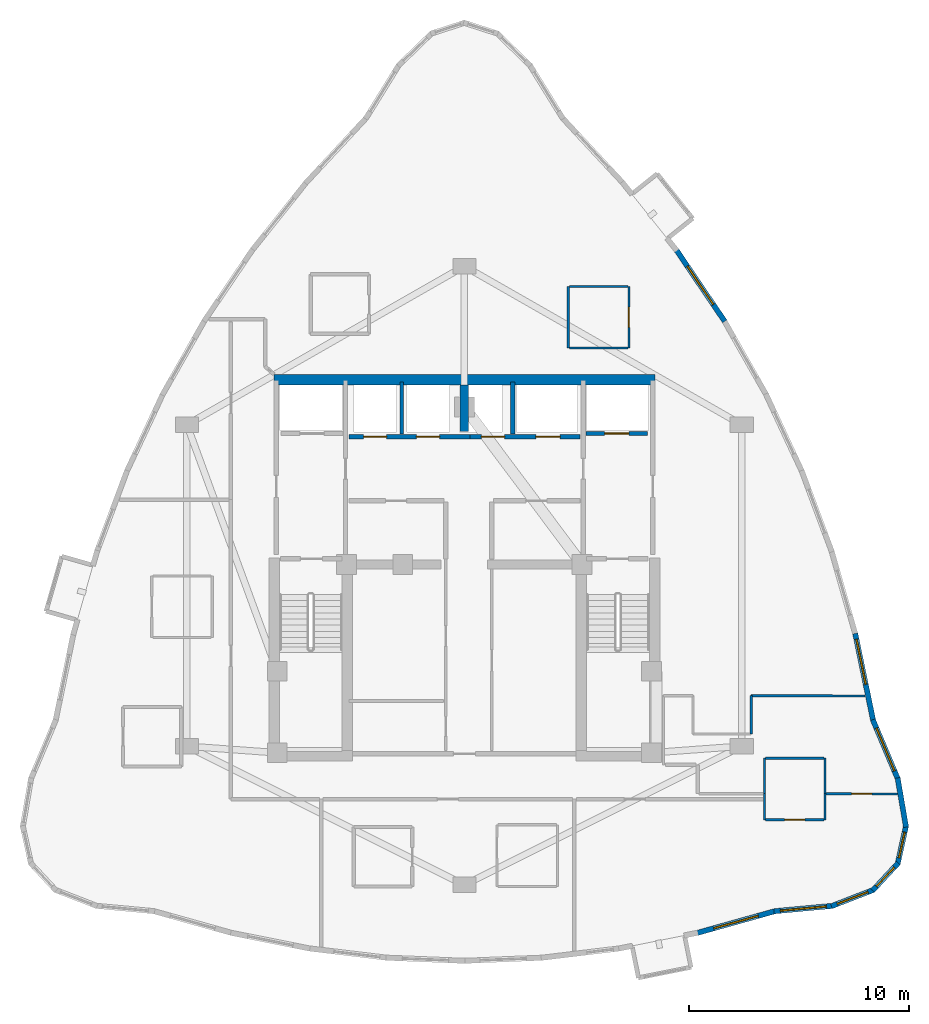
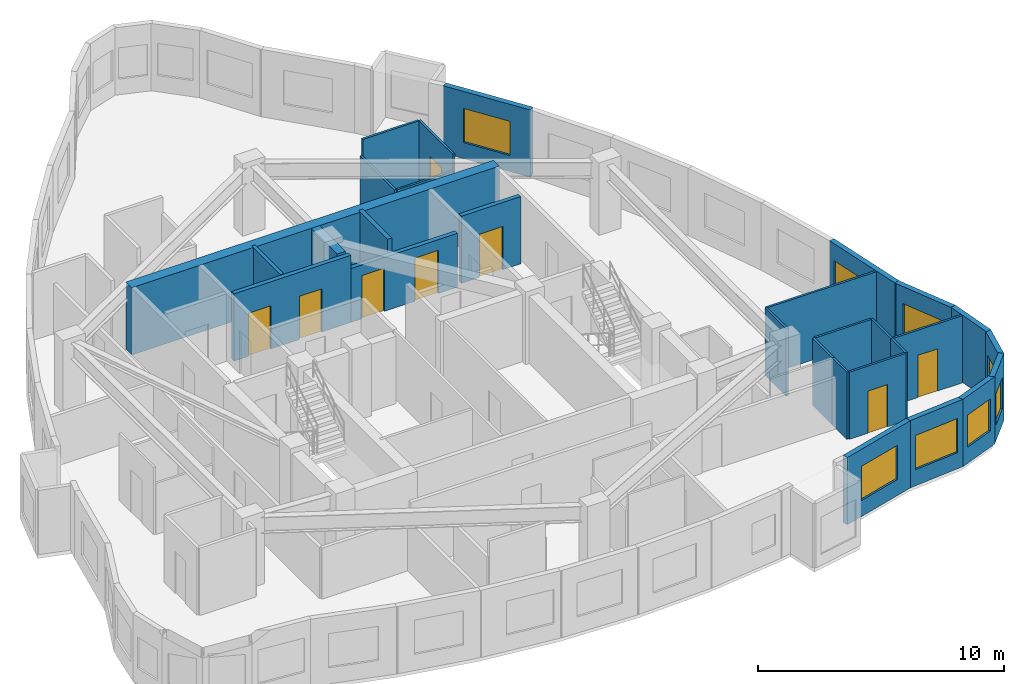
# One storey, part 6 of 8: 29 walls, 8 doors, 8 windows, 16 openings.
"""IFC4 building model written with IfcOpenShell, lengths in metres."""

from ifc_helpers import new_model, si_unit, direction, frame, frame_2d, origin, place, context, subcontext, project, spatial, rectangle, extrude, material, layer, layer_set, type_object, element, fill, save


model = new_model("IFC4")

# Units and contexts
model_context = context("Model", 3, precision=1e-05, world=origin(), true_north=direction((0.0, 1.0)))
body_context = subcontext(model_context, "Body", "Model", "MODEL_VIEW")
ifc_project = project(units=[si_unit("LENGTHUNIT", "METRE"), si_unit("AREAUNIT", "SQUARE_METRE"), si_unit("VOLUMEUNIT", "CUBIC_METRE"), si_unit("PLANEANGLEUNIT", "RADIAN"), si_unit("MASSUNIT", "GRAM", prefix="KILO")], contexts=[model_context])

# Site, building, storey
site_placement = place(None, origin())
site = spatial("IfcSite", under=ifc_project, at=site_placement, CompositionType="ELEMENT")
building_placement = place(site_placement, origin())
building = spatial("IfcBuilding", under=site, at=building_placement, Name="Miruveldt Soraemaru", CompositionType="ELEMENT")
storey_placement = place(building_placement, frame((0.0, 0.0, 212.39990234375)))
storey = spatial("IfcBuildingStorey", under=building, at=storey_placement, Name="L58", CompositionType="ELEMENT", Elevation=212.39990234375)

# Walls
ifc_material_1 = material(Name="Concrete C70/85 (70 MPa)", Category="concrete")
ifc_layer_1 = layer(ifc_material_1, 0.5, Name="Concrete C70/85 (70 MPa)", Category="concrete")
ifc_layer_set_1 = layer_set([ifc_layer_1], Name="Concrete C70/85 (70 MPa)")
wall_type_1 = type_object("IfcWallType", Name="WALL-BW-500", PredefinedType="SHEAR", material=ifc_layer_set_1)
wall_1_placement = place(storey_placement, frame((44.0, 50.10009765625, 0.0), z_axis=(0.0, 0.0, 1.0), x_axis=(0.0, 1.0, 0.0)))
element("IfcWall", 1, at=wall_1_placement, inside=storey, type_object=wall_type_1, Name="L58 Core Buttress Shear Wall BN", PredefinedType="SHEAR", context=body_context, shape_type="SweptSolid", body=[
    extrude(rectangle(XDim=2.099853515625, YDim=0.39990234375, at=frame_2d((1.0498046875, 0.0))), origin(), (0.0, 0.0, 1.0), 3.34521484375),
])
ifc_material_2 = material(Name="Concrete C60/75 (60 MPa)", Category="concrete")
ifc_layer_2 = layer(ifc_material_2, 0.47998046875, Name="Concrete C60/75 (60 MPa)", Category="concrete")
ifc_layer_set_2 = layer_set([ifc_layer_2], Name="Concrete C60/75 (60 MPa)")
wall_type_2 = type_object("IfcWallType", Name="WALL-CW-480", PredefinedType="SHEAR", material=ifc_layer_set_2)
wall_2_placement = place(storey_placement, frame((35.35009765625, 52.449951171875, 0.0), z_axis=(0.0, 0.0, 1.0), x_axis=(1.0, 0.0, 0.0)))
element("IfcWall", 2, at=wall_2_placement, inside=storey, type_object=wall_type_2, Name="L58 Central Core Shear Wall N", PredefinedType="SHEAR", context=body_context, shape_type="SweptSolid", body=[
    extrude(rectangle(XDim=17.2998046875, YDim=0.47998046875, at=frame_2d((8.64990234375, 0.0))), origin(), (0.0, 0.0, 1.0), 3.34521484375),
])

# Wall, opening, window
ifc_material_3 = material(Name="Precast concrete C45/55 (45 MPa)", Category="concrete")
ifc_layer_3 = layer(ifc_material_3, 0.239990234375, Name="Precast concrete C45/55 (45 MPa)", Category="concrete")
ifc_layer_set_3 = layer_set([ifc_layer_3], Name="Precast concrete C45/55 (45 MPa)")
wall_type_3 = type_object("IfcWallType", Name="WALL-EXT-PC240", PredefinedType="SOLIDWALL", material=ifc_layer_set_3)
wall_3_placement = place(storey_placement, frame((54.5400390625, 27.3076171875, 0.0), z_axis=(0.0, 0.0, 1.0), x_axis=(0.962953142371, 0.269668770158, 0.0)))
wall_3 = element("IfcWall", 3, at=wall_3_placement, inside=storey, type_object=wall_type_3, Name="L58 Precast Concrete Facade Wall 28", PredefinedType="SOLIDWALL", context=body_context, shape_type="SweptSolid", body=[
    extrude(rectangle(XDim=3.72998046875, YDim=0.239990234375, at=frame_2d((1.864990234375, 0.0))), origin(), (0.0, 0.0, 1.0), 3.34521484375),
])
opening_1_placement = place(wall_3_placement, frame((0.81494140625, 0.0, 0.800048828125)))
opening_1 = element("IfcOpeningElement", 4, at=opening_1_placement, cuts=wall_3, Name="Opening WN-1", PredefinedType="OPENING", context=body_context, shape_type="SweptSolid", body=[
    extrude(rectangle(XDim=2.10009765625, YDim=1.699951171875, at=frame_2d((1.050048828125, 0.85009765625))), frame((0.0, 0.1298828125, 0.0), z_axis=(0.0, -1.0, 0.0), x_axis=(1.0, 0.0, 0.0)), (0.0, 0.0, 1.0), 0.260009765625),
])
ifc_material_4 = material(Name="Triple low-e insulated glazing", Category="glass")
window_type_1 = type_object("IfcWindowType", Name="WIN-PUNCH-2100x1700", PartitioningType="SINGLE_PANEL", PredefinedType="WINDOW", material=ifc_material_4)
window_1_placement = place(opening_1_placement, origin())
window_1 = element("IfcWindow", 5, at=window_1_placement, inside=storey, type_object=window_type_1, Name="L58 Punched Triple-Glazed Window 28.1", OverallHeight=1.699951171875, OverallWidth=2.10009765625, PartitioningType="SINGLE_PANEL", PredefinedType="WINDOW", context=body_context, shape_type="SweptSolid", body=[
    extrude(rectangle(XDim=2.10009765625, YDim=1.699951171875, at=frame_2d((1.050048828125, 0.85009765625))), frame((0.0, 0.030029296875, 0.0), z_axis=(0.0, -1.0, 0.0), x_axis=(1.0, 0.0, 0.0)), (0.0, 0.0, 1.0), 0.06005859375),
])
fill(opening_1, window_1)

wall_4_placement = place(storey_placement, frame((58.063232421875, 28.30078125, 0.0), z_axis=(0.0, 0.0, 1.0), x_axis=(0.995758874352, 0.092001435582, 0.0)))
wall_4 = element("IfcWall", 6, at=wall_4_placement, inside=storey, type_object=wall_type_3, Name="L58 Precast Concrete Facade Wall 29", PredefinedType="SOLIDWALL", context=body_context, shape_type="SweptSolid", body=[
    extrude(rectangle(XDim=2.688232421875, YDim=0.239990234375, at=frame_2d((1.34423828125, 0.0))), origin(), (0.0, 0.0, 1.0), 3.34521484375),
])
opening_2_placement = place(wall_4_placement, frame((0.2939453125, 0.0, 0.800048828125)))
opening_2 = element("IfcOpeningElement", 7, at=opening_2_placement, cuts=wall_4, Name="Opening WN-1", PredefinedType="OPENING", context=body_context, shape_type="SweptSolid", body=[
    extrude(rectangle(XDim=2.10009765625, YDim=1.699951171875, at=frame_2d((1.050048828125, 0.85009765625))), frame((0.0, 0.1298828125, 0.0), z_axis=(0.0, -1.0, 0.0), x_axis=(1.0, 0.0, 0.0)), (0.0, 0.0, 1.0), 0.260009765625),
])
window_2_placement = place(opening_2_placement, origin())
window_2 = element("IfcWindow", 8, at=window_2_placement, inside=storey, type_object=window_type_1, Name="L58 Punched Triple-Glazed Window 29.1", OverallHeight=1.699951171875, OverallWidth=2.10009765625, PartitioningType="SINGLE_PANEL", PredefinedType="WINDOW", context=body_context, shape_type="SweptSolid", body=[
    extrude(rectangle(XDim=2.10009765625, YDim=1.699951171875, at=frame_2d((1.050048828125, 0.85009765625))), frame((0.0, 0.030029296875, 0.0), z_axis=(0.0, -1.0, 0.0), x_axis=(1.0, 0.0, 0.0)), (0.0, 0.0, 1.0), 0.06005859375),
])
fill(opening_2, window_2)

wall_5_placement = place(storey_placement, frame((60.672607421875, 28.531982421875, 0.0), z_axis=(0.0, 0.0, 1.0), x_axis=(0.932239398697, 0.361842097493, 0.0)))
wall_5 = element("IfcWall", 9, at=wall_5_placement, inside=storey, type_object=wall_type_3, Name="L58 Precast Concrete Facade Wall 30", PredefinedType="SOLIDWALL", context=body_context, shape_type="SweptSolid", body=[
    extrude(rectangle(XDim=2.0673828125, YDim=0.239990234375, at=frame_2d((1.03369140625, 0.0))), origin(), (0.0, 0.0, 1.0), 3.34521484375),
])
opening_3_placement = place(wall_5_placement, frame((0.283935546875, 0.0, 0.800048828125)))
opening_3 = element("IfcOpeningElement", 10, at=opening_3_placement, cuts=wall_5, Name="Opening WN-3", PredefinedType="OPENING", context=body_context, shape_type="SweptSolid", body=[
    extrude(rectangle(XDim=1.5, YDim=1.60009765625, at=frame_2d((0.75, 0.800048828125))), frame((0.0, 0.1298828125, 0.0), z_axis=(0.0, -1.0, 0.0), x_axis=(1.0, 0.0, 0.0)), (0.0, 0.0, 1.0), 0.260009765625),
])
window_type_2 = type_object("IfcWindowType", Name="WIN-PUNCH-1500x1600", PartitioningType="SINGLE_PANEL", PredefinedType="WINDOW", material=ifc_material_4)
window_3_placement = place(opening_3_placement, origin())
window_3 = element("IfcWindow", 11, at=window_3_placement, inside=storey, type_object=window_type_2, Name="L58 Punched Triple-Glazed Window 30.1", OverallHeight=1.60009765625, OverallWidth=1.5, PartitioningType="SINGLE_PANEL", PredefinedType="WINDOW", context=body_context, shape_type="SweptSolid", body=[
    extrude(rectangle(XDim=1.5, YDim=1.60009765625, at=frame_2d((0.75, 0.800048828125))), frame((0.0, 0.030029296875, 0.0), z_axis=(0.0, -1.0, 0.0), x_axis=(1.0, 0.0, 0.0)), (0.0, 0.0, 1.0), 0.06005859375),
])
fill(opening_3, window_3)

wall_6_placement = place(storey_placement, frame((62.54345703125, 29.24169921875, 0.0), z_axis=(0.0, 0.0, 1.0), x_axis=(0.680166703881, 0.733057470416, 0.0)))
wall_6 = element("IfcWall", 12, at=wall_6_placement, inside=storey, type_object=wall_type_3, Name="L58 Precast Concrete Facade Wall 31", PredefinedType="SOLIDWALL", context=body_context, shape_type="SweptSolid", body=[
    extrude(rectangle(XDim=1.71240234375, YDim=0.239990234375, at=frame_2d((0.856201171875, 0.0))), origin(), (0.0, 0.0, 1.0), 3.34521484375),
])
opening_4_placement = place(wall_6_placement, frame((0.256103515625, 0.0, 0.780029296875)))
opening_4 = element("IfcOpeningElement", 13, at=opening_4_placement, cuts=wall_6, Name="Opening WN-4", PredefinedType="OPENING", context=body_context, shape_type="SweptSolid", body=[
    extrude(rectangle(XDim=1.199951171875, YDim=1.550048828125, at=frame_2d((0.60009765625, 0.77490234375))), frame((0.0, 0.1298828125, 0.0), z_axis=(0.0, -1.0, 0.0), x_axis=(1.0, 0.0, 0.0)), (0.0, 0.0, 1.0), 0.260009765625),
])
window_type_3 = type_object("IfcWindowType", Name="WIN-PUNCH-1200x1550", PartitioningType="SINGLE_PANEL", PredefinedType="WINDOW", material=ifc_material_4)
window_4_placement = place(opening_4_placement, origin())
window_4 = element("IfcWindow", 14, at=window_4_placement, inside=storey, type_object=window_type_3, Name="L58 Punched Triple-Glazed Window 31.1", OverallHeight=1.550048828125, OverallWidth=1.199951171875, PartitioningType="SINGLE_PANEL", PredefinedType="WINDOW", context=body_context, shape_type="SweptSolid", body=[
    extrude(rectangle(XDim=1.199951171875, YDim=1.550048828125, at=frame_2d((0.60009765625, 0.77490234375))), frame((0.0, 0.030029296875, 0.0), z_axis=(0.0, -1.0, 0.0), x_axis=(1.0, 0.0, 0.0)), (0.0, 0.0, 1.0), 0.06005859375),
])
fill(opening_4, window_4)

wall_7_placement = place(storey_placement, frame((63.677001953125, 30.437255859375, 0.0), z_axis=(0.0, 0.0, 1.0), x_axis=(0.21567837117, 0.976464459266, 0.0)))
wall_7 = element("IfcWall", 15, at=wall_7_placement, inside=storey, type_object=wall_type_3, Name="L58 Precast Concrete Facade Wall 32", PredefinedType="SOLIDWALL", context=body_context, shape_type="SweptSolid", body=[
    extrude(rectangle(XDim=1.79638671875, YDim=0.239990234375, at=frame_2d((0.898193359375, 0.0))), origin(), (0.0, 0.0, 1.0), 3.34521484375),
])
opening_5_placement = place(wall_7_placement, frame((0.298095703125, 0.0, 0.780029296875)))
opening_5 = element("IfcOpeningElement", 16, at=opening_5_placement, cuts=wall_7, Name="Opening WN-4", PredefinedType="OPENING", context=body_context, shape_type="SweptSolid", body=[
    extrude(rectangle(XDim=1.199951171875, YDim=1.550048828125, at=frame_2d((0.60009765625, 0.77490234375))), frame((0.0, 0.1298828125, 0.0), z_axis=(0.0, -1.0, 0.0), x_axis=(1.0, 0.0, 0.0)), (0.0, 0.0, 1.0), 0.260009765625),
])
window_5_placement = place(opening_5_placement, origin())
window_5 = element("IfcWindow", 17, at=window_5_placement, inside=storey, type_object=window_type_3, Name="L58 Punched Triple-Glazed Window 32.1", OverallHeight=1.550048828125, OverallWidth=1.199951171875, PartitioningType="SINGLE_PANEL", PredefinedType="WINDOW", context=body_context, shape_type="SweptSolid", body=[
    extrude(rectangle(XDim=1.199951171875, YDim=1.550048828125, at=frame_2d((0.60009765625, 0.77490234375))), frame((0.0, 0.030029296875, 0.0), z_axis=(0.0, -1.0, 0.0), x_axis=(1.0, 0.0, 0.0)), (0.0, 0.0, 1.0), 0.06005859375),
])
fill(opening_5, window_5)

# Wall
wall_8_placement = place(storey_placement, frame((64.062744140625, 32.12255859375, 0.0), z_axis=(0.0, 0.0, 1.0), x_axis=(-0.16924751517, 0.985573578486, 0.0)))
element("IfcWall", 18, at=wall_8_placement, inside=storey, type_object=wall_type_3, Name="L58 Precast Concrete Facade Wall 33", PredefinedType="SOLIDWALL", context=body_context, shape_type="SweptSolid", body=[
    extrude(rectangle(XDim=2.26904296875, YDim=0.239990234375, at=frame_2d((1.134521484375, 0.0))), origin(), (0.0, 0.0, 1.0), 3.34521484375),
])

# Wall, opening, window
wall_9_placement = place(storey_placement, frame((63.697998046875, 34.292236328125, 0.0), z_axis=(0.0, 0.0, 1.0), x_axis=(-0.388579536892, 0.921415185196, 0.0)))
wall_9 = element("IfcWall", 19, at=wall_9_placement, inside=storey, type_object=wall_type_3, Name="L58 Precast Concrete Facade Wall 34", PredefinedType="SOLIDWALL", context=body_context, shape_type="SweptSolid", body=[
    extrude(rectangle(XDim=2.94482421875, YDim=0.239990234375, at=frame_2d((1.472412109375, 0.0))), origin(), (0.0, 0.0, 1.0), 3.34521484375),
])
opening_6_placement = place(wall_9_placement, frame((0.423095703125, 0.0, 0.800048828125)))
opening_6 = element("IfcOpeningElement", 20, at=opening_6_placement, cuts=wall_9, Name="Opening WN-1", PredefinedType="OPENING", context=body_context, shape_type="SweptSolid", body=[
    extrude(rectangle(XDim=2.10009765625, YDim=1.699951171875, at=frame_2d((1.050048828125, 0.85009765625))), frame((0.0, 0.1298828125, 0.0), z_axis=(0.0, -1.0, 0.0), x_axis=(1.0, 0.0, 0.0)), (0.0, 0.0, 1.0), 0.260009765625),
])
window_6_placement = place(opening_6_placement, origin())
window_6 = element("IfcWindow", 21, at=window_6_placement, inside=storey, type_object=window_type_1, Name="L58 Punched Triple-Glazed Window 34.1", OverallHeight=1.699951171875, OverallWidth=2.10009765625, PartitioningType="SINGLE_PANEL", PredefinedType="WINDOW", context=body_context, shape_type="SweptSolid", body=[
    extrude(rectangle(XDim=2.10009765625, YDim=1.699951171875, at=frame_2d((1.050048828125, 0.85009765625))), frame((0.0, 0.030029296875, 0.0), z_axis=(0.0, -1.0, 0.0), x_axis=(1.0, 0.0, 0.0)), (0.0, 0.0, 1.0), 0.06005859375),
])
fill(opening_6, window_6)

wall_10_placement = place(storey_placement, frame((62.57421875, 36.939208984375, 0.0), z_axis=(0.0, 0.0, 1.0), x_axis=(-0.201542745203, 0.979479719982, 0.0)))
wall_10 = element("IfcWall", 22, at=wall_10_placement, inside=storey, type_object=wall_type_3, Name="L58 Precast Concrete Facade Wall 35", PredefinedType="SOLIDWALL", context=body_context, shape_type="SweptSolid", body=[
    extrude(rectangle(XDim=4.064208984375, YDim=0.239990234375, at=frame_2d((2.0322265625, 0.0))), origin(), (0.0, 0.0, 1.0), 3.34521484375),
])
opening_7_placement = place(wall_10_placement, frame((1.699951171875, 0.0, 0.800048828125)))
opening_7 = element("IfcOpeningElement", 23, at=opening_7_placement, cuts=wall_10, Name="Opening WN-1", PredefinedType="OPENING", context=body_context, shape_type="SweptSolid", body=[
    extrude(rectangle(XDim=2.10009765625, YDim=1.699951171875, at=frame_2d((1.050048828125, 0.85009765625))), frame((0.0, 0.1298828125, 0.0), z_axis=(0.0, -1.0, 0.0), x_axis=(1.0, 0.0, 0.0)), (0.0, 0.0, 1.0), 0.260009765625),
])
window_7_placement = place(opening_7_placement, origin())
window_7 = element("IfcWindow", 24, at=window_7_placement, inside=storey, type_object=window_type_1, Name="L58 Punched Triple-Glazed Window 35.1", OverallHeight=1.699951171875, OverallWidth=2.10009765625, PartitioningType="SINGLE_PANEL", PredefinedType="WINDOW", context=body_context, shape_type="SweptSolid", body=[
    extrude(rectangle(XDim=2.10009765625, YDim=1.699951171875, at=frame_2d((1.050048828125, 0.85009765625))), frame((0.0, 0.030029296875, 0.0), z_axis=(0.0, -1.0, 0.0), x_axis=(1.0, 0.0, 0.0)), (0.0, 0.0, 1.0), 0.06005859375),
])
fill(opening_7, window_7)

wall_11_placement = place(storey_placement, frame((55.82666015625, 55.094970703125, 0.0), z_axis=(0.0, 0.0, 1.0), x_axis=(-0.560813923728, 0.827941871723, 0.0)))
wall_11 = element("IfcWall", 25, at=wall_11_placement, inside=storey, type_object=wall_type_3, Name="L58 Precast Concrete Facade Wall 40", PredefinedType="SOLIDWALL", context=body_context, shape_type="SweptSolid", body=[
    extrude(rectangle(XDim=3.943603515625, YDim=0.239990234375, at=frame_2d((1.9716796875, 0.0))), origin(), (0.0, 0.0, 1.0), 3.34521484375),
])
opening_8_placement = place(wall_11_placement, frame((0.922119140625, 0.0, 0.800048828125)))
opening_8 = element("IfcOpeningElement", 26, at=opening_8_placement, cuts=wall_11, Name="Opening WN-1", PredefinedType="OPENING", context=body_context, shape_type="SweptSolid", body=[
    extrude(rectangle(XDim=2.10009765625, YDim=1.699951171875, at=frame_2d((1.050048828125, 0.85009765625))), frame((0.0, 0.1298828125, 0.0), z_axis=(0.0, -1.0, 0.0), x_axis=(1.0, 0.0, 0.0)), (0.0, 0.0, 1.0), 0.260009765625),
])
window_8_placement = place(opening_8_placement, origin())
window_8 = element("IfcWindow", 27, at=window_8_placement, inside=storey, type_object=window_type_1, Name="L58 Punched Triple-Glazed Window 40.1", OverallHeight=1.699951171875, OverallWidth=2.10009765625, PartitioningType="SINGLE_PANEL", PredefinedType="WINDOW", context=body_context, shape_type="SweptSolid", body=[
    extrude(rectangle(XDim=2.10009765625, YDim=1.699951171875, at=frame_2d((1.050048828125, 0.85009765625))), frame((0.0, 0.030029296875, 0.0), z_axis=(0.0, -1.0, 0.0), x_axis=(1.0, 0.0, 0.0)), (0.0, 0.0, 1.0), 0.06005859375),
])
fill(opening_8, window_8)

# Wall, opening, door
ifc_material_5 = material(Name="Gypsum plasterboard lining", Category="gypsum")
ifc_layer_4 = layer(ifc_material_5, 0.10009765625, Name="Gypsum plasterboard lining", Category="gypsum")
ifc_layer_set_4 = layer_set([ifc_layer_4], Name="Gypsum plasterboard lining")
wall_type_4 = type_object("IfcWallType", Name="WALL-INT-P100", PredefinedType="PARTITIONING", material=ifc_layer_set_4)
wall_12_placement = place(storey_placement, frame((63.6669921875, 33.631103515625, 0.0), z_axis=(0.0, 0.0, 1.0), x_axis=(-0.999996314036, 0.00271512688, 0.0)))
wall_12 = element("IfcWall", 28, at=wall_12_placement, inside=storey, type_object=wall_type_4, Name="L58 Partition Wall 40", PredefinedType="PARTITIONING", context=body_context, shape_type="SweptSolid", body=[
    extrude(rectangle(XDim=3.237060546875, YDim=0.10009765625, at=frame_2d((1.61865234375, 0.0))), origin(), (0.0, 0.0, 1.0), 3.34521484375),
])
opening_9_placement = place(wall_12_placement, frame((1.158935546875, 0.0, 0.0)))
opening_9 = element("IfcOpeningElement", 29, at=opening_9_placement, cuts=wall_12, Name="Opening D3A", PredefinedType="OPENING", context=body_context, shape_type="SweptSolid", body=[
    extrude(rectangle(XDim=0.919921875, YDim=2.10009765625, at=frame_2d((0.4599609375, 1.050048828125))), frame((0.0, 0.06005859375, 0.0), z_axis=(0.0, -1.0, 0.0), x_axis=(1.0, 0.0, 0.0)), (0.0, 0.0, 1.0), 0.1201171875),
])
ifc_material_6 = material(Name="Anodised aluminium EN AW-6063 T6", Category="aluminium")
door_type_1 = type_object("IfcDoorType", Name="DOOR-INT-920", OperationType="NOTDEFINED", PredefinedType="DOOR", material=ifc_material_6)
door_1_placement = place(opening_9_placement, origin())
door_1 = element("IfcDoor", 30, at=door_1_placement, inside=storey, type_object=door_type_1, Name="L58 Unit 5805 BD1 Door", OperationType="SINGLE_SWING_LEFT", OverallHeight=2.10009765625, OverallWidth=0.919921875, PredefinedType="DOOR", context=body_context, shape_type="SweptSolid", body=[
    extrude(rectangle(XDim=0.919921875, YDim=2.10009765625, at=frame_2d((0.4599609375, 1.050048828125))), frame((0.0, 0.02490234375, 0.0), z_axis=(0.0, -1.0, 0.0), x_axis=(1.0, 0.0, 0.0)), (0.0, 0.0, 1.0), 0.050048828125),
])
fill(opening_9, door_1)

wall_13_placement = place(storey_placement, frame((51.471923828125, 53.8798828125, 0.0), z_axis=(0.0, 0.0, 1.0), x_axis=(0.0, 1.0, 0.0)))
wall_13 = element("IfcWall", 31, at=wall_13_placement, inside=storey, type_object=wall_type_4, Name="L58 Partition Wall 14", PredefinedType="PARTITIONING", context=body_context, shape_type="SweptSolid", body=[
    extrude(rectangle(XDim=2.800048828125, YDim=0.10009765625, at=frame_2d((1.39990234375, 0.0))), origin(), (0.0, 0.0, 1.0), 3.34521484375),
])
opening_10_placement = place(wall_13_placement, frame((0.93994140625, 0.0, 0.0)))
opening_10 = element("IfcOpeningElement", 32, at=opening_10_placement, cuts=wall_13, Name="Opening D3A", PredefinedType="OPENING", context=body_context, shape_type="SweptSolid", body=[
    extrude(rectangle(XDim=0.919921875, YDim=2.10009765625, at=frame_2d((0.4599609375, 1.050048828125))), frame((0.0, 0.06005859375, 0.0), z_axis=(0.0, -1.0, 0.0), x_axis=(1.0, 0.0, 0.0)), (0.0, 0.0, 1.0), 0.1201171875),
])
door_2_placement = place(opening_10_placement, origin())
door_2 = element("IfcDoor", 33, at=door_2_placement, inside=storey, type_object=door_type_1, Name="L58 Unit CL01 KIT Door", OperationType="SINGLE_SWING_RIGHT", OverallHeight=2.10009765625, OverallWidth=0.919921875, PredefinedType="DOOR", context=body_context, shape_type="SweptSolid", body=[
    extrude(rectangle(XDim=0.919921875, YDim=2.10009765625, at=frame_2d((0.4599609375, 1.050048828125))), frame((0.0, 0.02490234375, 0.0), z_axis=(0.0, -1.0, 0.0), x_axis=(1.0, 0.0, 0.0)), (0.0, 0.0, 1.0), 0.050048828125),
])
fill(opening_10, door_2)

wall_14_placement = place(storey_placement, frame((57.679931640625, 32.455078125, 0.0), z_axis=(0.0, 0.0, 1.0), x_axis=(1.0, 0.0, 0.0)))
wall_14 = element("IfcWall", 34, at=wall_14_placement, inside=storey, type_object=wall_type_4, Name="L58 Partition Wall 39", PredefinedType="PARTITIONING", context=body_context, shape_type="SweptSolid", body=[
    extrude(rectangle(XDim=2.650146484375, YDim=0.10009765625, at=frame_2d((1.3251953125, 0.0))), origin(), (0.0, 0.0, 1.0), 3.34521484375),
])
opening_11_placement = place(wall_14_placement, frame((0.864990234375, 0.0, 0.0)))
opening_11 = element("IfcOpeningElement", 35, at=opening_11_placement, cuts=wall_14, Name="Opening D3A", PredefinedType="OPENING", context=body_context, shape_type="SweptSolid", body=[
    extrude(rectangle(XDim=0.919921875, YDim=2.10009765625, at=frame_2d((0.4599609375, 1.050048828125))), frame((0.0, 0.06005859375, 0.0), z_axis=(0.0, -1.0, 0.0), x_axis=(1.0, 0.0, 0.0)), (0.0, 0.0, 1.0), 0.1201171875),
])
door_3_placement = place(opening_11_placement, origin())
door_3 = element("IfcDoor", 36, at=door_3_placement, inside=storey, type_object=door_type_1, Name="L58 Unit 5805 KIT Door", OperationType="SINGLE_SWING_RIGHT", OverallHeight=2.10009765625, OverallWidth=0.919921875, PredefinedType="DOOR", context=body_context, shape_type="SweptSolid", body=[
    extrude(rectangle(XDim=0.919921875, YDim=2.10009765625, at=frame_2d((0.4599609375, 1.050048828125))), frame((0.0, 0.02490234375, 0.0), z_axis=(0.0, -1.0, 0.0), x_axis=(1.0, 0.0, 0.0)), (0.0, 0.0, 1.0), 0.050048828125),
])
fill(opening_11, door_3)

# Walls
wall_15_placement = place(storey_placement, frame((57.030029296875, 38.093994140625, 0.0), z_axis=(0.0, 0.0, 1.0), x_axis=(0.999997742948, -0.002124641097, 0.0)))
element("IfcWall", 37, at=wall_15_placement, inside=storey, type_object=wall_type_4, Name="L58 Partition Wall 50", PredefinedType="PARTITIONING", context=body_context, shape_type="SweptSolid", body=[
    extrude(rectangle(XDim=5.1708984375, YDim=0.10009765625, at=frame_2d((2.58544921875, 0.0))), origin(), (0.0, 0.0, 1.0), 3.34521484375),
])
wall_16_placement = place(storey_placement, frame((48.721923828125, 56.679931640625, 0.0), z_axis=(0.0, 0.0, 1.0), x_axis=(0.0, -1.0, 0.0)))
element("IfcWall", 38, at=wall_16_placement, inside=storey, type_object=wall_type_4, Name="L58 Partition Wall 16", PredefinedType="PARTITIONING", context=body_context, shape_type="SweptSolid", body=[
    extrude(rectangle(XDim=2.800048828125, YDim=0.10009765625, at=frame_2d((1.39990234375, 0.0))), origin(), (0.0, 0.0, 1.0), 2.533203125),
])
wall_17_placement = place(storey_placement, frame((51.422119140625, 56.679931640625, 0.0), z_axis=(0.0, 0.0, 1.0), x_axis=(-1.0, 0.0, 0.0)))
element("IfcWall", 39, at=wall_17_placement, inside=storey, type_object=wall_type_4, Name="L58 Partition Wall 15", PredefinedType="PARTITIONING", context=body_context, shape_type="SweptSolid", body=[
    extrude(rectangle(XDim=2.650146484375, YDim=0.10009765625, at=frame_2d((1.3251953125, 0.0))), origin(), (0.0, 0.0, 1.0), 3.34521484375),
])
wall_18_placement = place(storey_placement, frame((48.77197265625, 53.8798828125, 0.0), z_axis=(0.0, 0.0, 1.0), x_axis=(1.0, 0.0, 0.0)))
element("IfcWall", 40, at=wall_18_placement, inside=storey, type_object=wall_type_4, Name="L58 Partition Wall 17", PredefinedType="PARTITIONING", context=body_context, shape_type="SweptSolid", body=[
    extrude(rectangle(XDim=2.650146484375, YDim=0.10009765625, at=frame_2d((1.3251953125, 0.0))), origin(), (0.0, 0.0, 1.0), 2.533203125),
])
wall_19_placement = place(storey_placement, frame((60.330078125, 35.2548828125, 0.0), z_axis=(0.0, 0.0, 1.0), x_axis=(-1.0, 0.0, 0.0)))
element("IfcWall", 41, at=wall_19_placement, inside=storey, type_object=wall_type_4, Name="L58 Partition Wall 43", PredefinedType="PARTITIONING", context=body_context, shape_type="SweptSolid", body=[
    extrude(rectangle(XDim=2.650146484375, YDim=0.10009765625, at=frame_2d((1.3251953125, 0.0))), origin(), (0.0, 0.0, 1.0), 3.34521484375),
])
wall_20_placement = place(storey_placement, frame((57.030029296875, 36.35498046875, 0.0), z_axis=(0.0, 0.0, 1.0), x_axis=(0.0, 1.0, 0.0)))
element("IfcWall", 42, at=wall_20_placement, inside=storey, type_object=wall_type_4, Name="L58 Partition Wall 49", PredefinedType="PARTITIONING", context=body_context, shape_type="SweptSolid", body=[
    extrude(rectangle(XDim=1.739013671875, YDim=0.10009765625, at=frame_2d((0.86962890625, 0.0))), origin(), (0.0, 0.0, 1.0), 3.34521484375),
])
for number, where, z_axis, x_axis, name in (
    (43, (60.3798828125, 33.639892578125, 0.0), (0.0, 0.0, 1.0), (0.0, 1.0, 0.0), "L58 Partition Wall 42"),
    (44, (57.6298828125, 35.2548828125, 0.0), (0.0, 0.0, 1.0), (0.0, -1.0, 0.0), "L58 Partition Wall 44"),
):
    element("IfcWall", number, at=place(storey_placement, frame(where, z_axis=z_axis, x_axis=x_axis)), inside=storey, type_object=wall_type_4, Name=name, PredefinedType="PARTITIONING", context=body_context, shape_type="SweptSolid", body=[
        extrude(rectangle(XDim=1.614990234375, YDim=0.10009765625, at=frame_2d((0.8076171875, 0.0))), origin(), (0.0, 0.0, 1.0), 3.34521484375),
    ])
for number, where, z_axis, x_axis, name in (
    (45, (60.3798828125, 32.455078125, 0.0), (0.0, 0.0, 1.0), (0.0, 1.0, 0.0), "L58 Partition Wall 37"),
    (46, (57.6298828125, 33.639892578125, 0.0), (0.0, 0.0, 1.0), (0.0, -1.0, 0.0), "L58 Partition Wall 38"),
):
    element("IfcWall", number, at=place(storey_placement, frame(where, z_axis=z_axis, x_axis=x_axis)), inside=storey, type_object=wall_type_4, Name=name, PredefinedType="PARTITIONING", context=body_context, shape_type="SweptSolid", body=[
        extrude(rectangle(XDim=1.184814453125, YDim=0.10009765625, at=frame_2d((0.59228515625, 0.0))), origin(), (0.0, 0.0, 1.0), 3.34521484375),
    ])
ifc_material_7 = material(Name="Concrete C40/50 (40 MPa)", Category="concrete")
ifc_layer_5 = layer(ifc_material_7, 0.159912109375, Name="Concrete C40/50 (40 MPa)", Category="concrete")
ifc_layer_set_5 = layer_set([ifc_layer_5], Name="Concrete C40/50 (40 MPa)")
wall_type_5 = type_object("IfcWallType", Name="WALL-INT-RC160", PredefinedType="SOLIDWALL", material=ifc_layer_set_5)
wall_21_placement = place(storey_placement, frame((41.14990234375, 49.97998046875, 0.0), z_axis=(0.0, 0.0, 1.0), x_axis=(0.0, 1.0, 0.0)))
element("IfcWall", 47, at=wall_21_placement, inside=storey, type_object=wall_type_5, Name="L58 Core Compartment Wall PLH-DIV1", PredefinedType="SOLIDWALL", context=body_context, shape_type="SweptSolid", body=[
    extrude(rectangle(XDim=2.3701171875, YDim=0.159912109375, at=frame_2d((1.18505859375, 0.0))), origin(), (0.0, 0.0, 1.0), 3.34521484375),
])

# Wall, openings, doors
ifc_layer_6 = layer(ifc_material_7, 0.199951171875, Name="Concrete C40/50 (40 MPa)", Category="concrete")
ifc_layer_set_6 = layer_set([ifc_layer_6], Name="Concrete C40/50 (40 MPa)")
wall_type_6 = type_object("IfcWallType", Name="WALL-INT-RC200", PredefinedType="SOLIDWALL", material=ifc_layer_set_6)
wall_22_placement = place(storey_placement, frame((38.75, 49.85009765625, 0.0), z_axis=(0.0, 0.0, 1.0), x_axis=(1.0, 0.0, 0.0)))
wall_22 = element("IfcWall", 48, at=wall_22_placement, inside=storey, type_object=wall_type_6, Name="L58 Core Compartment Wall ROWA-SW", PredefinedType="SOLIDWALL", context=body_context, shape_type="SweptSolid", body=[
    extrude(rectangle(XDim=5.5, YDim=0.199951171875, at=frame_2d((2.75, 0.0))), origin(), (0.0, 0.0, 1.0), 3.34521484375),
])
opening_12_placement = place(wall_22_placement, frame((0.675048828125, 0.0, 0.0)))
opening_12 = element("IfcOpeningElement", 49, at=opening_12_placement, cuts=wall_22, Name="Opening LD1", PredefinedType="OPENING", context=body_context, shape_type="SweptSolid", body=[
    extrude(rectangle(XDim=1.050048828125, YDim=2.14990234375, at=frame_2d((0.52490234375, 1.074951171875))), frame((0.0, 0.10986328125, 0.0), z_axis=(0.0, -1.0, 0.0), x_axis=(1.0, 0.0, 0.0)), (0.0, 0.0, 1.0), 0.219970703125),
])
opening_13_placement = place(wall_22_placement, frame((3.074951171875, 0.0, 0.0)))
opening_13 = element("IfcOpeningElement", 50, at=opening_13_placement, cuts=wall_22, Name="Opening LD1", PredefinedType="OPENING", context=body_context, shape_type="SweptSolid", body=[
    extrude(rectangle(XDim=1.050048828125, YDim=2.14990234375, at=frame_2d((0.52490234375, 1.074951171875))), frame((0.0, 0.10986328125, 0.0), z_axis=(0.0, -1.0, 0.0), x_axis=(1.0, 0.0, 0.0)), (0.0, 0.0, 1.0), 0.219970703125),
])
door_type_2 = type_object("IfcDoorType", Name="DOOR-LD1-1050", OperationType="SLIDING_TO_LEFT", PredefinedType="DOOR", material=ifc_material_6)
door_4_placement = place(opening_12_placement, origin())
door_4 = element("IfcDoor", 51, at=door_4_placement, inside=storey, type_object=door_type_2, Name="L58 PL-H1 Landing Door", OperationType="SLIDING_TO_LEFT", OverallHeight=2.14990234375, OverallWidth=1.050048828125, PredefinedType="DOOR", context=body_context, shape_type="SweptSolid", body=[
    extrude(rectangle(XDim=1.050048828125, YDim=2.14990234375, at=frame_2d((0.52490234375, 1.074951171875))), frame((0.0, 0.02490234375, 0.0), z_axis=(0.0, -1.0, 0.0), x_axis=(1.0, 0.0, 0.0)), (0.0, 0.0, 1.0), 0.050048828125),
])
fill(opening_12, door_4)
door_5_placement = place(opening_13_placement, origin())
door_5 = element("IfcDoor", 52, at=door_5_placement, inside=storey, type_object=door_type_2, Name="L58 PL-H2 Landing Door", OperationType="SLIDING_TO_LEFT", OverallHeight=2.14990234375, OverallWidth=1.050048828125, PredefinedType="DOOR", context=body_context, shape_type="SweptSolid", body=[
    extrude(rectangle(XDim=1.050048828125, YDim=2.14990234375, at=frame_2d((0.52490234375, 1.074951171875))), frame((0.0, 0.02490234375, 0.0), z_axis=(0.0, -1.0, 0.0), x_axis=(1.0, 0.0, 0.0)), (0.0, 0.0, 1.0), 0.050048828125),
])
fill(opening_13, door_5)

wall_23_placement = place(storey_placement, frame((44.25, 49.85009765625, 0.0), z_axis=(0.0, 0.0, 1.0), x_axis=(1.0, 0.0, 0.0)))
wall_23 = element("IfcWall", 53, at=wall_23_placement, inside=storey, type_object=wall_type_6, Name="L58 Core Compartment Wall ROWA-SE", PredefinedType="SOLIDWALL", context=body_context, shape_type="SweptSolid", body=[
    extrude(rectangle(XDim=5.0, YDim=0.199951171875, at=frame_2d((2.5, 0.0))), origin(), (0.0, 0.0, 1.0), 2.68310546875),
])
opening_14_placement = place(wall_23_placement, frame((0.52490234375, 0.0, 0.0)))
opening_14 = element("IfcOpeningElement", 54, at=opening_14_placement, cuts=wall_23, Name="Opening LD1", PredefinedType="OPENING", context=body_context, shape_type="SweptSolid", body=[
    extrude(rectangle(XDim=1.050048828125, YDim=2.14990234375, at=frame_2d((0.52490234375, 1.074951171875))), frame((0.0, 0.10986328125, 0.0), z_axis=(0.0, -1.0, 0.0), x_axis=(1.0, 0.0, 0.0)), (0.0, 0.0, 1.0), 0.219970703125),
])
opening_15_placement = place(wall_23_placement, frame((3.0, 0.0, 0.0)))
opening_15 = element("IfcOpeningElement", 55, at=opening_15_placement, cuts=wall_23, Name="Opening LD2", PredefinedType="OPENING", context=body_context, shape_type="SweptSolid", body=[
    extrude(rectangle(XDim=1.10009765625, YDim=2.14990234375, at=frame_2d((0.550048828125, 1.074951171875))), frame((0.0, 0.10986328125, 0.0), z_axis=(0.0, -1.0, 0.0), x_axis=(1.0, 0.0, 0.0)), (0.0, 0.0, 1.0), 0.219970703125),
])
door_6_placement = place(opening_14_placement, origin())
door_6 = element("IfcDoor", 56, at=door_6_placement, inside=storey, type_object=door_type_2, Name="L58 PL-H3 Landing Door", OperationType="SLIDING_TO_LEFT", OverallHeight=2.14990234375, OverallWidth=1.050048828125, PredefinedType="DOOR", context=body_context, shape_type="SweptSolid", body=[
    extrude(rectangle(XDim=1.050048828125, YDim=2.14990234375, at=frame_2d((0.52490234375, 1.074951171875))), frame((0.0, 0.02490234375, 0.0), z_axis=(0.0, -1.0, 0.0), x_axis=(1.0, 0.0, 0.0)), (0.0, 0.0, 1.0), 0.050048828125),
])
fill(opening_14, door_6)
door_type_3 = type_object("IfcDoorType", Name="DOOR-LD2-1100", OperationType="SLIDING_TO_LEFT", PredefinedType="DOOR", material=ifc_material_6)
door_7_placement = place(opening_15_placement, origin())
door_7 = element("IfcDoor", 57, at=door_7_placement, inside=storey, type_object=door_type_3, Name="L58 SL-1 Landing Door", OperationType="SLIDING_TO_LEFT", OverallHeight=2.14990234375, OverallWidth=1.10009765625, PredefinedType="DOOR", context=body_context, shape_type="SweptSolid", body=[
    extrude(rectangle(XDim=1.10009765625, YDim=2.14990234375, at=frame_2d((0.550048828125, 1.074951171875))), frame((0.0, 0.02490234375, 0.0), z_axis=(0.0, -1.0, 0.0), x_axis=(1.0, 0.0, 0.0)), (0.0, 0.0, 1.0), 0.050048828125),
])
fill(opening_15, door_7)

# Wall, opening, door
wall_24_placement = place(storey_placement, frame((49.52001953125, 50.0, 0.0), z_axis=(0.0, 0.0, 1.0), x_axis=(1.0, 0.0, 0.0)))
wall_24 = element("IfcWall", 58, at=wall_24_placement, inside=storey, type_object=wall_type_6, Name="L58 Core Compartment Wall FFL2-S", PredefinedType="SOLIDWALL", context=body_context, shape_type="SweptSolid", body=[
    extrude(rectangle(XDim=2.800048828125, YDim=0.199951171875, at=frame_2d((1.39990234375, 0.0))), origin(), (0.0, 0.0, 1.0), 3.34521484375),
])
opening_16_placement = place(wall_24_placement, frame((0.85009765625, 0.0, 0.0)))
opening_16 = element("IfcOpeningElement", 59, at=opening_16_placement, cuts=wall_24, Name="Opening LD2", PredefinedType="OPENING", context=body_context, shape_type="SweptSolid", body=[
    extrude(rectangle(XDim=1.10009765625, YDim=2.14990234375, at=frame_2d((0.550048828125, 1.074951171875))), frame((0.0, 0.10986328125, 0.0), z_axis=(0.0, -1.0, 0.0), x_axis=(1.0, 0.0, 0.0)), (0.0, 0.0, 1.0), 0.219970703125),
])
door_8_placement = place(opening_16_placement, origin())
door_8 = element("IfcDoor", 60, at=door_8_placement, inside=storey, type_object=door_type_3, Name="L58 FFL-2 Landing Door", OperationType="SLIDING_TO_LEFT", OverallHeight=2.14990234375, OverallWidth=1.10009765625, PredefinedType="DOOR", context=body_context, shape_type="SweptSolid", body=[
    extrude(rectangle(XDim=1.10009765625, YDim=2.14990234375, at=frame_2d((0.550048828125, 1.074951171875))), frame((0.0, 0.02490234375, 0.0), z_axis=(0.0, -1.0, 0.0), x_axis=(1.0, 0.0, 0.0)), (0.0, 0.0, 1.0), 0.050048828125),
])
fill(opening_16, door_8)

# Wall
wall_25_placement = place(storey_placement, frame((46.199951171875, 49.97998046875, 0.0), z_axis=(0.0, 0.0, 1.0), x_axis=(0.0, 1.0, 0.0)))
element("IfcWall", 61, at=wall_25_placement, inside=storey, type_object=wall_type_6, Name="L58 Core Compartment Wall PLH-SL-DIV", PredefinedType="SOLIDWALL", context=body_context, shape_type="SweptSolid", body=[
    extrude(rectangle(XDim=2.3701171875, YDim=0.199951171875, at=frame_2d((1.18505859375, 0.0))), origin(), (0.0, 0.0, 1.0), 3.34521484375),
])

save(model, "model.ifc")
